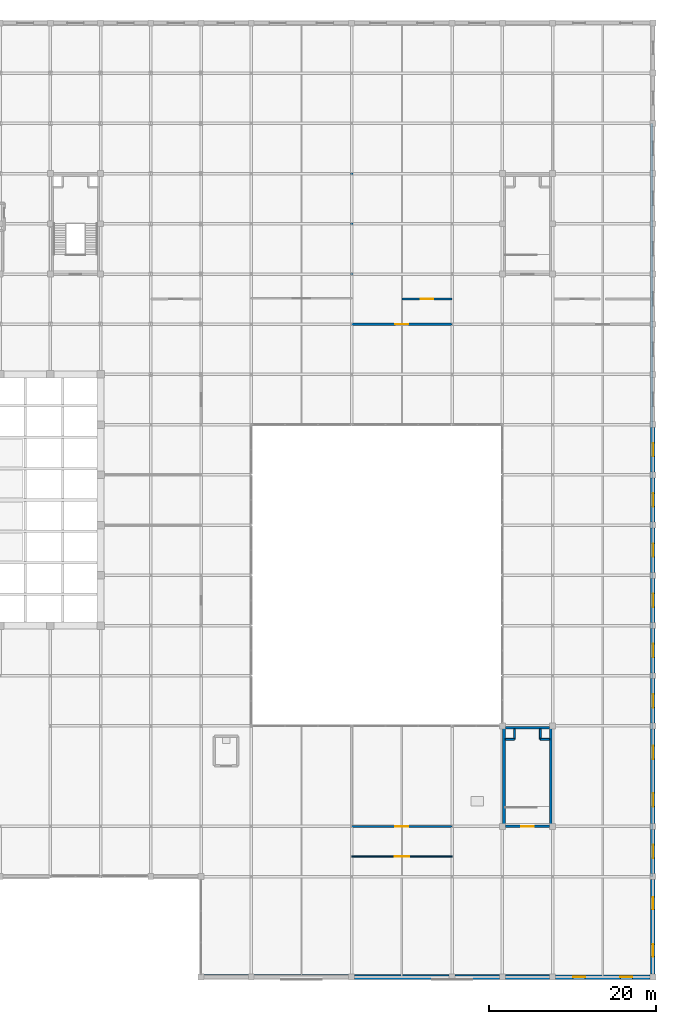
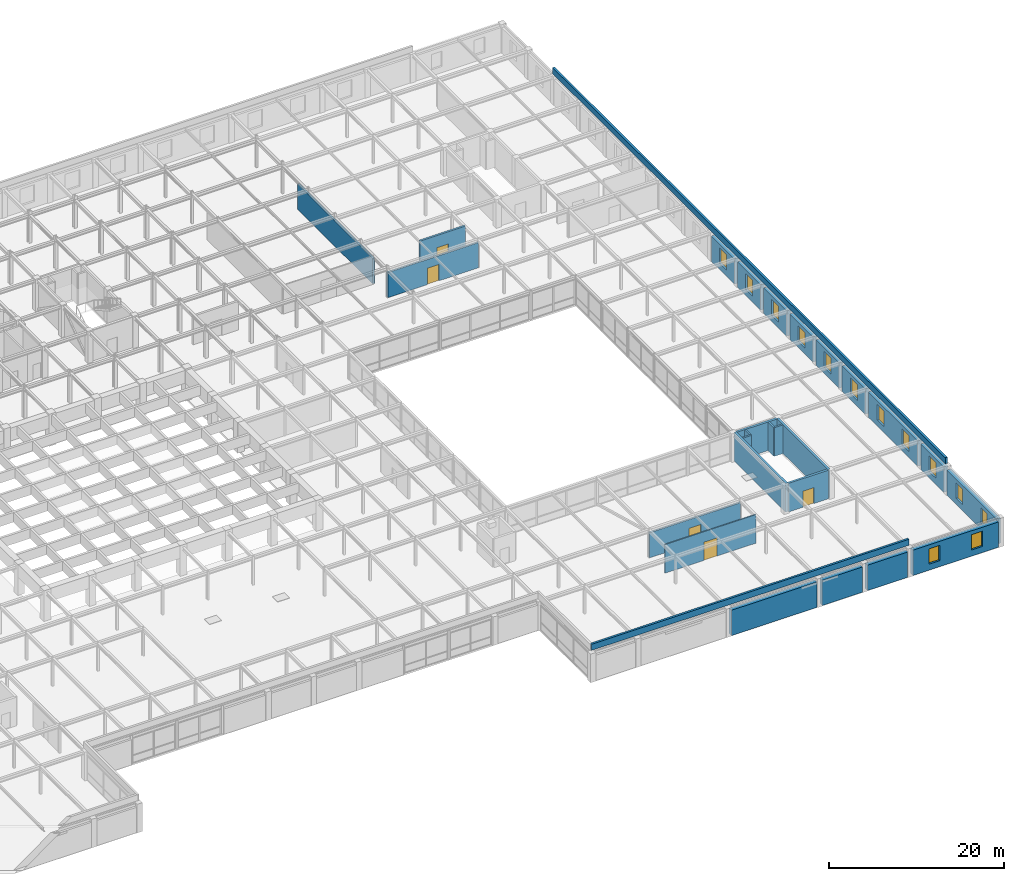
# One storey, part 108 of 111: 28 walls, 13 windows, 5 doors, 18 openings.
"""IFC4 building model written with IfcOpenShell, lengths in metres."""

import ifcopenshell
import ifcopenshell.guid

model = None  # the IFC model being written
_history = None  # IfcOwnerHistory: only IFC2X3 demands one
_inside = {}  # id of a spatial element -> (the spatial element, [elements in it])
_under = {}  # id of a project, library or spatial element -> (it, [spatial elements below it])
_declared = {}  # id of a project -> (the project, [libraries it declares])
_typed = {}  # id of a type object -> (the type object, [elements of that type])
_made_of = {}  # id of a material, layer set ... -> (it, [elements and type objects made of it])


def new_model(schema):
    """Start an empty IFC model of exactly this schema.

    Asked for "IFC4X3", IfcOpenShell would pick the latest addendum, in which some entities
    have other attributes; the version numbers below select the first issue.
    IFC2X3 requires an IfcOwnerHistory on every rooted entity: one is made here for all.
    """
    global model, _history
    if schema == "IFC4X3":
        model = ifcopenshell.file(schema_version=(4, 3, 0, 0))
    else:
        model = ifcopenshell.file(schema=schema)
    _inside.clear()
    _under.clear()
    _declared.clear()
    _typed.clear()
    _made_of.clear()
    _history = None
    if model.schema == "IFC2X3":
        org = make("IfcOrganization", Name="unknown")
        user = make(
            "IfcPersonAndOrganization",
            ThePerson=make("IfcPerson", FamilyName="unknown"),
            TheOrganization=org,
        )
        app = make(
            "IfcApplication",
            ApplicationDeveloper=org,
            Version="unknown",
            ApplicationFullName="unknown",
            ApplicationIdentifier="unknown",
        )
        _history = make(
            "IfcOwnerHistory",
            OwningUser=user,
            OwningApplication=app,
            ChangeAction="ADDED",
            CreationDate=0,
        )
    return model


def make(cls, **values):
    """One entity of the class cls with the attributes given. An attribute that is None is left unset."""
    return model.create_entity(
        cls, **{name: value for name, value in values.items() if value is not None}
    )


def rooted(cls, **values):
    """An entity with a GlobalId (a new one), such as an element, a storey or a relation."""
    return make(cls, GlobalId=ifcopenshell.guid.new(), OwnerHistory=_history, **values)


def si_unit(unit_type, name, prefix=None):
    """IfcSIUnit, for example si_unit("LENGTHUNIT", "METRE", prefix="MILLI")."""
    return make("IfcSIUnit", UnitType=unit_type, Prefix=prefix, Name=name)


def assignment(units):
    """IfcUnitAssignment: the units of a project."""
    return None if units is None else make("IfcUnitAssignment", Units=units)


def point(xyz):
    """IfcCartesianPoint."""
    return None if xyz is None else make("IfcCartesianPoint", Coordinates=xyz)


def direction(xyz):
    """IfcDirection."""
    return None if xyz is None else make("IfcDirection", DirectionRatios=xyz)


def frame(location, z_axis=None, x_axis=None):
    """IfcAxis2Placement3D, a coordinate frame: its origin and axes. An axis left out is left unset."""
    return make(
        "IfcAxis2Placement3D",
        Location=point(location),
        Axis=direction(z_axis),
        RefDirection=direction(x_axis),
    )


def frame_2d(location, x_axis=None):
    """IfcAxis2Placement2D, a coordinate frame in the plane: its origin and x axis."""
    return make(
        "IfcAxis2Placement2D", Location=point(location), RefDirection=direction(x_axis)
    )


def origin():
    """The frame at (0, 0, 0) with its axes left unset."""
    return frame((0.0, 0.0, 0.0))


def place(relative_to, where):
    """IfcLocalPlacement: puts the frame where relative to a parent placement (None: the world)."""
    return make(
        "IfcLocalPlacement", PlacementRelTo=relative_to, RelativePlacement=where
    )


def context(
    kind, dimensions, precision=None, world=None, true_north=None, identifier=None
):
    """IfcGeometricRepresentationContext, for example the 3D "Model" context."""
    return make(
        "IfcGeometricRepresentationContext",
        ContextIdentifier=identifier,
        ContextType=kind,
        CoordinateSpaceDimension=dimensions,
        Precision=precision,
        WorldCoordinateSystem=world,
        TrueNorth=true_north,
    )


def subcontext(parent, identifier, kind, view, scale=None):
    """IfcGeometricRepresentationSubContext, for example "Body" below "Model"."""
    return make(
        "IfcGeometricRepresentationSubContext",
        ContextIdentifier=identifier,
        ContextType=kind,
        ParentContext=parent,
        TargetScale=scale,
        TargetView=view,
    )


def project(units=None, contexts=None):
    """IfcProject with its units and contexts."""
    return rooted(
        "IfcProject",
        Name="project",
        RepresentationContexts=contexts,
        UnitsInContext=assignment(units),
    )


def spatial(cls, under=None, at=None, **own):
    """A site, building, storey or space (cls), placed at a placement, below another one or the project."""
    s = rooted(cls, ObjectPlacement=at, **own)
    if under is not None:
        _under.setdefault(under.id(), (under, []))[1].append(s)
    return s


def profile(cls, at=None, kind="AREA", **sizes):
    """A parametric profile (cls). Its sizes go by their IFC names, for example OverallWidth=200.0."""
    return make(cls, ProfileType=kind, Position=at, **sizes)


def rectangle(**sizes):
    """IfcRectangleProfileDef."""
    return profile("IfcRectangleProfileDef", **sizes)


def extrude(swept, where, along, depth):
    """IfcExtrudedAreaSolid: the profile swept, set in the frame where, extruded along a direction by depth."""
    return make(
        "IfcExtrudedAreaSolid",
        SweptArea=swept,
        Position=where,
        ExtrudedDirection=direction(along),
        Depth=depth,
    )


def shape(context_of_items, identifier, shape_type, items):
    """IfcShapeRepresentation: the items that make up one representation, for example the "Body"."""
    return make(
        "IfcShapeRepresentation",
        ContextOfItems=context_of_items,
        RepresentationIdentifier=identifier,
        RepresentationType=shape_type,
        Items=items,
    )


def material(Name=None, Category=None):
    """IfcMaterial."""
    return make("IfcMaterial", Name=Name, Category=Category)


def layer(
    of_material, thickness, ventilated=None, Name=None, Category=None, Priority=None
):
    """IfcMaterialLayer: one layer of a wall or slab, of a material (None: an air gap)."""
    return make(
        "IfcMaterialLayer",
        Material=of_material,
        LayerThickness=thickness,
        IsVentilated=ventilated,
        Name=Name,
        Category=Category,
        Priority=Priority,
    )


def layer_set(layers, Name=None):
    """IfcMaterialLayerSet."""
    return make("IfcMaterialLayerSet", MaterialLayers=layers, LayerSetName=Name)


def made_of(thing, what):
    """Note that an element or type object is made of a material, layer set ...; save() writes the relation."""
    if what is not None:
        _made_of.setdefault(what.id(), (what, []))[1].append(thing)
    return thing


def type_object(cls, material=None, **own):
    """A type object (cls), such as IfcWallType, which elements share."""
    return made_of(rooted(cls, **own), material)


def element(
    cls,
    number,
    at=None,
    inside=None,
    cuts=None,
    type_object=None,
    material=None,
    context=None,
    identifier="Body",
    shape_type=None,
    held_by="IfcProductDefinitionShape",
    body=None,
    shapes=None,
    **own,
):
    """One element of the class cls, such as IfcWall. Its Tag is "e" and its number.

    at: its placement. inside: the storey or other place that contains it. cuts: it is an
    opening in that element (IfcRelVoidsElement). A single representation is given by context,
    identifier, shape_type and body (its items); several are given by shapes. held_by: the class
    of the entity that holds the representations. save() writes the other relations.
    """
    e = rooted(cls, Tag="e%d" % number, ObjectPlacement=at, **own)
    if body is not None:
        shapes = [shape(context, identifier, shape_type, body)]
    if shapes is not None:
        e.Representation = make(held_by, Representations=shapes)
    if inside is not None:
        _inside.setdefault(inside.id(), (inside, []))[1].append(e)
    if cuts is not None:
        rooted(
            "IfcRelVoidsElement", RelatingBuildingElement=cuts, RelatedOpeningElement=e
        )
    if type_object is not None:
        _typed.setdefault(type_object.id(), (type_object, []))[1].append(e)
    return made_of(e, material)


def fill(opening, filler):
    """IfcRelFillsElement: the door or window that sits in an opening."""
    return rooted(
        "IfcRelFillsElement",
        RelatingOpeningElement=opening,
        RelatedBuildingElement=filler,
    )


def aggregate(whole, parts):
    """IfcRelAggregates: a whole, such as a stair, and the parts it consists of."""
    return rooted("IfcRelAggregates", RelatingObject=whole, RelatedObjects=parts)


def save(model, path):
    """Write the relations noted so far, then the file.

    IfcRelAggregates (storeys below a building ...), IfcRelContainedInSpatialStructure (elements
    in a storey), IfcRelDefinesByType, IfcRelAssociatesMaterial and IfcRelDeclares: one each for
    every whole, place, type object, material and project.
    """
    for whole, parts in _under.values():
        aggregate(whole, parts)
    for where, things in _inside.values():
        rooted(
            "IfcRelContainedInSpatialStructure",
            RelatedElements=things,
            RelatingStructure=where,
        )
    for kind, things in _typed.values():
        rooted("IfcRelDefinesByType", RelatedObjects=things, RelatingType=kind)
    for what, things in _made_of.values():
        rooted("IfcRelAssociatesMaterial", RelatedObjects=things, RelatingMaterial=what)
    for by, libraries in _declared.values():
        rooted("IfcRelDeclares", RelatingContext=by, RelatedDefinitions=libraries)
    model.write(path)


model = new_model("IFC4")

# Units and contexts
model_context = context("Model", 3, precision=1e-05, world=origin(), true_north=direction((0.0, 1.0)))
body_context = subcontext(model_context, "Body", "Model", "MODEL_VIEW")
ifc_project = project(units=[si_unit("LENGTHUNIT", "METRE"), si_unit("AREAUNIT", "SQUARE_METRE"), si_unit("VOLUMEUNIT", "CUBIC_METRE"), si_unit("PLANEANGLEUNIT", "RADIAN"), si_unit("MASSUNIT", "GRAM", prefix="KILO")], contexts=[model_context])

# Site, building, storey
site_placement = place(None, origin())
site = spatial("IfcSite", under=ifc_project, at=site_placement, CompositionType="ELEMENT")
building_placement = place(site_placement, origin())
building = spatial("IfcBuilding", under=site, at=building_placement, Name="Zlatovratsky Civic Hall", CompositionType="ELEMENT")
storey_placement = place(building_placement, frame((0.0, 0.0, 16.5)))
storey = spatial("IfcBuildingStorey", under=building, at=storey_placement, Name="L04", CompositionType="ELEMENT", Elevation=16.5)

# Wall, opening, door
ifc_material_1 = material(Name="Acoustic ceramic blockwork", Category="masonry")
ifc_layer_1 = layer(ifc_material_1, 0.260009765625)
ifc_layer_set_1 = layer_set([ifc_layer_1], Name="Acoustic ceramic blockwork")
wall_type_1 = type_object("IfcWallType", Name="Wall_ArchiveCompartment_260", PredefinedType="PARTITIONING", material=ifc_layer_set_1)
wall_1_placement = place(storey_placement, frame((132.0, 18.0, 0.0), z_axis=(0.0, 0.0, 1.0), x_axis=(1.0, 0.0, 0.0)))
wall_1 = element("IfcWall", 1, at=wall_1_placement, inside=storey, type_object=wall_type_1, Name="WL-6227", PredefinedType="PARTITIONING", context=body_context, shape_type="SweptSolid", body=[
    extrude(rectangle(XDim=12.0, YDim=0.260009765625, at=frame_2d((6.0, 0.0))), origin(), (0.0, 0.0, 1.0), 3.512939453125),
])
opening_1_placement = place(wall_1_placement, frame((5.22509765625, 0.0, 0.0)))
opening_1 = element("IfcOpeningElement", 2, at=opening_1_placement, cuts=wall_1, Name="Opening D-15", PredefinedType="OPENING", context=body_context, shape_type="SweptSolid", body=[
    extrude(rectangle(XDim=1.550048828125, YDim=2.300048828125, at=frame_2d((0.77490234375, 1.14990234375))), frame((0.0, 0.14501953125, 0.0), z_axis=(0.0, -1.0, 0.0), x_axis=(1.0, 0.0, 0.0)), (0.0, 0.0, 1.0), 0.289794921875),
])
ifc_material_2 = material(Name="Insulated painted fire-rated steel leaf", Category="steel")
door_type_1 = type_object("IfcDoorType", Name="Door_CompactArchiveFire_1550x2300", OperationType="DOUBLE_DOOR_SINGLE_SWING", PredefinedType="DOOR", material=ifc_material_2)
door_1_placement = place(opening_1_placement, origin())
door_1 = element("IfcDoor", 3, at=door_1_placement, inside=storey, type_object=door_type_1, Name="DR-5328", OperationType="DOUBLE_DOOR_SINGLE_SWING", OverallHeight=2.300048828125, OverallWidth=1.550048828125, PredefinedType="DOOR", context=body_context, shape_type="SweptSolid", body=[
    extrude(rectangle(XDim=1.550048828125, YDim=2.300048828125, at=frame_2d((0.77490234375, 1.14990234375))), frame((0.0, 0.02490234375, 0.0), z_axis=(0.0, -1.0, 0.0), x_axis=(1.0, 0.0, 0.0)), (0.0, 0.0, 1.0), 0.050048828125),
])
fill(opening_1, door_1)

wall_2_placement = place(storey_placement, frame((132.0, 78.0, 0.0), z_axis=(0.0, 0.0, 1.0), x_axis=(1.0, 0.0, 0.0)))
wall_2 = element("IfcWall", 4, at=wall_2_placement, inside=storey, type_object=wall_type_1, Name="WL-6229", PredefinedType="PARTITIONING", context=body_context, shape_type="SweptSolid", body=[
    extrude(rectangle(XDim=12.0, YDim=0.260009765625, at=frame_2d((6.0, 0.0))), origin(), (0.0, 0.0, 1.0), 3.512939453125),
])
opening_2_placement = place(wall_2_placement, frame((5.22509765625, 0.0, 0.0)))
opening_2 = element("IfcOpeningElement", 5, at=opening_2_placement, cuts=wall_2, Name="Opening D-15", PredefinedType="OPENING", context=body_context, shape_type="SweptSolid", body=[
    extrude(rectangle(XDim=1.550048828125, YDim=2.300048828125, at=frame_2d((0.77490234375, 1.14990234375))), frame((0.0, 0.14501953125, 0.0), z_axis=(0.0, -1.0, 0.0), x_axis=(1.0, 0.0, 0.0)), (0.0, 0.0, 1.0), 0.289794921875),
])
door_2_placement = place(opening_2_placement, origin())
door_2 = element("IfcDoor", 6, at=door_2_placement, inside=storey, type_object=door_type_1, Name="DR-5330", OperationType="DOUBLE_DOOR_SINGLE_SWING", OverallHeight=2.300048828125, OverallWidth=1.550048828125, PredefinedType="DOOR", context=body_context, shape_type="SweptSolid", body=[
    extrude(rectangle(XDim=1.550048828125, YDim=2.300048828125, at=frame_2d((0.77490234375, 1.14990234375))), frame((0.0, 0.02490234375, 0.0), z_axis=(0.0, -1.0, 0.0), x_axis=(1.0, 0.0, 0.0)), (0.0, 0.0, 1.0), 0.050048828125),
])
fill(opening_2, door_2)

wall_3_placement = place(storey_placement, frame((138.0, 81.0, 0.0), z_axis=(0.0, 0.0, 1.0), x_axis=(1.0, 0.0, 0.0)))
wall_3 = element("IfcWall", 7, at=wall_3_placement, inside=storey, type_object=wall_type_1, Name="WL-6233", PredefinedType="PARTITIONING", context=body_context, shape_type="SweptSolid", body=[
    extrude(rectangle(XDim=6.0, YDim=0.260009765625, at=frame_2d((3.0, 0.0))), origin(), (0.0, 0.0, 1.0), 4.0),
])
opening_3_placement = place(wall_3_placement, frame((2.22509765625, 0.0, 0.0)))
opening_3 = element("IfcOpeningElement", 8, at=opening_3_placement, cuts=wall_3, Name="Opening D-15", PredefinedType="OPENING", context=body_context, shape_type="SweptSolid", body=[
    extrude(rectangle(XDim=1.550048828125, YDim=2.300048828125, at=frame_2d((0.77490234375, 1.14990234375))), frame((0.0, 0.14501953125, 0.0), z_axis=(0.0, -1.0, 0.0), x_axis=(1.0, 0.0, 0.0)), (0.0, 0.0, 1.0), 0.289794921875),
])
door_3_placement = place(opening_3_placement, origin())
door_3 = element("IfcDoor", 9, at=door_3_placement, inside=storey, type_object=door_type_1, Name="DR-5334", OperationType="DOUBLE_DOOR_SINGLE_SWING", OverallHeight=2.300048828125, OverallWidth=1.550048828125, PredefinedType="DOOR", context=body_context, shape_type="SweptSolid", body=[
    extrude(rectangle(XDim=1.550048828125, YDim=2.300048828125, at=frame_2d((0.77490234375, 1.14990234375))), frame((0.0, 0.02490234375, 0.0), z_axis=(0.0, -1.0, 0.0), x_axis=(1.0, 0.0, 0.0)), (0.0, 0.0, 1.0), 0.050048828125),
])
fill(opening_3, door_3)

# Wall
wall_4_placement = place(storey_placement, frame((132.0, 81.14990234375, 0.0), z_axis=(0.0, 0.0, 1.0), x_axis=(0.0, 1.0, 0.0)))
element("IfcWall", 10, at=wall_4_placement, inside=storey, type_object=wall_type_1, Name="WL-6243", PredefinedType="PARTITIONING", context=body_context, shape_type="SweptSolid", body=[
    extrude(rectangle(XDim=17.2001953125, YDim=0.260009765625, at=frame_2d((8.60009765625, 0.0))), origin(), (0.0, 0.0, 1.0), 3.56005859375),
])

# Wall, opening, door
ifc_material_3 = material(Name="Fire-rated gypsum board framing", Category="gypsum")
ifc_layer_2 = layer(ifc_material_3, 0.139892578125)
ifc_layer_set_2 = layer_set([ifc_layer_2], Name="Fire-rated gypsum board framing")
wall_type_2 = type_object("IfcWallType", Name="Wall_OfficePartition_140", PredefinedType="PARTITIONING", material=ifc_layer_set_2)
wall_5_placement = place(storey_placement, frame((132.0, 14.39990234375, 0.0), z_axis=(0.0, 0.0, 1.0), x_axis=(1.0, 0.0, 0.0)))
wall_5 = element("IfcWall", 11, at=wall_5_placement, inside=storey, type_object=wall_type_2, Name="WL-6220", PredefinedType="PARTITIONING", context=body_context, shape_type="SweptSolid", body=[
    extrude(rectangle(XDim=12.0, YDim=0.139892578125, at=frame_2d((6.0, 0.0))), origin(), (0.0, 0.0, 1.0), 4.0),
])
opening_4_placement = place(wall_5_placement, frame((5.125, 0.0, 0.0)))
opening_4 = element("IfcOpeningElement", 12, at=opening_4_placement, cuts=wall_5, Name="Opening D-13", PredefinedType="OPENING", context=body_context, shape_type="SweptSolid", body=[
    extrude(rectangle(XDim=1.75, YDim=2.550048828125, at=frame_2d((0.875, 1.27490234375))), frame((0.0, 0.0849609375, 0.0), z_axis=(0.0, -1.0, 0.0), x_axis=(1.0, 0.0, 0.0)), (0.0, 0.0, 1.0), 0.169677734375),
])
ifc_material_4 = material(Name="Solid oak joinery in steel frame", Category="steel")
door_type_2 = type_object("IfcDoorType", Name="Door_CommitteeSuiteDouble_1750x2550", OperationType="DOUBLE_DOOR_SINGLE_SWING", PredefinedType="DOOR", material=ifc_material_4)
door_4_placement = place(opening_4_placement, origin())
door_4 = element("IfcDoor", 13, at=door_4_placement, inside=storey, type_object=door_type_2, Name="DR-5321", OperationType="DOUBLE_DOOR_SINGLE_SWING", OverallHeight=2.550048828125, OverallWidth=1.75, PredefinedType="DOOR", context=body_context, shape_type="SweptSolid", body=[
    extrude(rectangle(XDim=1.75, YDim=2.550048828125, at=frame_2d((0.875, 1.27490234375))), frame((0.0, 0.02490234375, 0.0), z_axis=(0.0, -1.0, 0.0), x_axis=(1.0, 0.0, 0.0)), (0.0, 0.0, 1.0), 0.050048828125),
])
fill(opening_4, door_4)

# Walls
ifc_layer_3 = layer(ifc_material_1, 0.39990234375, Name="Backing")
ifc_material_5 = material(Name="Polished Karelian granite ashlar", Category="masonry")
ifc_layer_4 = layer(ifc_material_5, 0.139892578125, Name="Finish")
ifc_layer_set_3 = layer_set([ifc_layer_3, ifc_layer_4], Name="Acoustic ceramic blockwork")
wall_type_3 = type_object("IfcWallType", Name="Wall_PodiumGraniteArcade_540", PredefinedType="SOLIDWALL", material=ifc_layer_set_3)
wall_6_placement = place(storey_placement, frame((132.35009765625, 0.0, 0.0), z_axis=(0.0, 0.0, 1.0), x_axis=(1.0, 0.0, 0.0)))
element("IfcWall", 14, at=wall_6_placement, inside=storey, type_object=wall_type_3, Name="WL-0323", PredefinedType="SOLIDWALL", context=body_context, shape_type="SweptSolid", body=[
    extrude(rectangle(XDim=11.2998046875, YDim=0.5400390625, at=frame_2d((5.64990234375, 0.0))), origin(), (0.0, 0.0, 1.0), 3.550048828125),
])
for number, where, z_axis, x_axis, name in (
    (15, (144.35009765625, 0.0, 0.0), (0.0, 0.0, 1.0), (1.0, 0.0, 0.0), "WL-0324"),
    (16, (150.35009765625, 0.0, 0.0), (0.0, 0.0, 1.0), (1.0, 0.0, 0.0), "WL-0325"),
):
    element("IfcWall", number, at=place(storey_placement, frame(where, z_axis=z_axis, x_axis=x_axis)), inside=storey, type_object=wall_type_3, Name=name, PredefinedType="SOLIDWALL", context=body_context, shape_type="SweptSolid", body=[
        extrude(rectangle(XDim=5.2998046875, YDim=0.5400390625, at=frame_2d((2.64990234375, 0.0))), origin(), (0.0, 0.0, 1.0), 3.550048828125),
    ])

# Wall, openings, windows
wall_7_placement = place(storey_placement, frame((156.35009765625, 0.0, 0.0), z_axis=(0.0, 0.0, 1.0), x_axis=(1.0, 0.0, 0.0)))
wall_7 = element("IfcWall", 17, at=wall_7_placement, inside=storey, type_object=wall_type_3, Name="WL-0326", PredefinedType="SOLIDWALL", context=body_context, shape_type="SweptSolid", body=[
    extrude(rectangle(XDim=11.2998046875, YDim=0.5400390625, at=frame_2d((5.64990234375, 0.0))), origin(), (0.0, 0.0, 1.0), 3.550048828125),
])
opening_5_placement = place(wall_7_placement, frame((2.10009765625, 0.0, 0.85009765625)))
opening_5 = element("IfcOpeningElement", 18, at=opening_5_placement, cuts=wall_7, Name="Opening WN-28", PredefinedType="OPENING", context=body_context, shape_type="SweptSolid", body=[
    extrude(rectangle(XDim=1.449951171875, YDim=2.14990234375, at=frame_2d((0.72509765625, 1.074951171875))), frame((0.0, 0.284912109375, 0.0), z_axis=(0.0, -1.0, 0.0), x_axis=(1.0, 0.0, 0.0)), (0.0, 0.0, 1.0), 0.56982421875),
])
opening_6_placement = place(wall_7_placement, frame((7.75, 0.0, 0.85009765625)))
opening_6 = element("IfcOpeningElement", 19, at=opening_6_placement, cuts=wall_7, Name="Opening WN-28", PredefinedType="OPENING", context=body_context, shape_type="SweptSolid", body=[
    extrude(rectangle(XDim=1.449951171875, YDim=2.14990234375, at=frame_2d((0.72509765625, 1.074951171875))), frame((0.0, 0.284912109375, 0.0), z_axis=(0.0, -1.0, 0.0), x_axis=(1.0, 0.0, 0.0)), (0.0, 0.0, 1.0), 0.56982421875),
])
ifc_material_6 = material(Name="Low-E laminated double glazing", Category="glass")
window_type_1 = type_object("IfcWindowType", Name="Window_CornerBastionUpper_1450x2150", PartitioningType="SINGLE_PANEL", PredefinedType="WINDOW", material=ifc_material_6)
window_1_placement = place(opening_5_placement, origin())
window_1 = element("IfcWindow", 20, at=window_1_placement, inside=storey, type_object=window_type_1, Name="WN-0255", OverallHeight=2.14990234375, OverallWidth=1.449951171875, PartitioningType="SINGLE_PANEL", PredefinedType="WINDOW", context=body_context, shape_type="SweptSolid", body=[
    extrude(rectangle(XDim=1.449951171875, YDim=2.14990234375, at=frame_2d((0.72509765625, 1.074951171875))), frame((0.0, 0.030029296875, 0.0), z_axis=(0.0, -1.0, 0.0), x_axis=(1.0, 0.0, 0.0)), (0.0, 0.0, 1.0), 0.06005859375),
])
fill(opening_5, window_1)
window_2_placement = place(opening_6_placement, origin())
window_2 = element("IfcWindow", 21, at=window_2_placement, inside=storey, type_object=window_type_1, Name="WN-0256", OverallHeight=2.14990234375, OverallWidth=1.449951171875, PartitioningType="SINGLE_PANEL", PredefinedType="WINDOW", context=body_context, shape_type="SweptSolid", body=[
    extrude(rectangle(XDim=1.449951171875, YDim=2.14990234375, at=frame_2d((0.72509765625, 1.074951171875))), frame((0.0, 0.030029296875, 0.0), z_axis=(0.0, -1.0, 0.0), x_axis=(1.0, 0.0, 0.0)), (0.0, 0.0, 1.0), 0.06005859375),
])
fill(opening_6, window_2)

wall_8_placement = place(storey_placement, frame((168.0, 0.35009765625, 0.0), z_axis=(0.0, 0.0, 1.0), x_axis=(0.0, 1.0, 0.0)))
wall_8 = element("IfcWall", 22, at=wall_8_placement, inside=storey, type_object=wall_type_3, Name="WL-0372", PredefinedType="SOLIDWALL", context=body_context, shape_type="SweptSolid", body=[
    extrude(rectangle(XDim=11.2998046875, YDim=0.5400390625, at=frame_2d((5.64990234375, 0.0))), origin(), (0.0, 0.0, 1.0), 3.550048828125),
])
opening_7_placement = place(wall_8_placement, frame((2.10009765625, 0.0, 0.85009765625)))
opening_7 = element("IfcOpeningElement", 23, at=opening_7_placement, cuts=wall_8, Name="Opening WN-28", PredefinedType="OPENING", context=body_context, shape_type="SweptSolid", body=[
    extrude(rectangle(XDim=1.449951171875, YDim=2.14990234375, at=frame_2d((0.72509765625, 1.074951171875))), frame((0.0, 0.284912109375, 0.0), z_axis=(0.0, -1.0, 0.0), x_axis=(1.0, 0.0, 0.0)), (0.0, 0.0, 1.0), 0.56982421875),
])
opening_8_placement = place(wall_8_placement, frame((7.75, 0.0, 0.85009765625)))
opening_8 = element("IfcOpeningElement", 24, at=opening_8_placement, cuts=wall_8, Name="Opening WN-28", PredefinedType="OPENING", context=body_context, shape_type="SweptSolid", body=[
    extrude(rectangle(XDim=1.449951171875, YDim=2.14990234375, at=frame_2d((0.72509765625, 1.074951171875))), frame((0.0, 0.284912109375, 0.0), z_axis=(0.0, -1.0, 0.0), x_axis=(1.0, 0.0, 0.0)), (0.0, 0.0, 1.0), 0.56982421875),
])
window_3_placement = place(opening_7_placement, origin())
window_3 = element("IfcWindow", 25, at=window_3_placement, inside=storey, type_object=window_type_1, Name="WN-0302", OverallHeight=2.14990234375, OverallWidth=1.449951171875, PartitioningType="SINGLE_PANEL", PredefinedType="WINDOW", context=body_context, shape_type="SweptSolid", body=[
    extrude(rectangle(XDim=1.449951171875, YDim=2.14990234375, at=frame_2d((0.72509765625, 1.074951171875))), frame((0.0, 0.030029296875, 0.0), z_axis=(0.0, -1.0, 0.0), x_axis=(1.0, 0.0, 0.0)), (0.0, 0.0, 1.0), 0.06005859375),
])
fill(opening_7, window_3)
window_4_placement = place(opening_8_placement, origin())
window_4 = element("IfcWindow", 26, at=window_4_placement, inside=storey, type_object=window_type_1, Name="WN-0303", OverallHeight=2.14990234375, OverallWidth=1.449951171875, PartitioningType="SINGLE_PANEL", PredefinedType="WINDOW", context=body_context, shape_type="SweptSolid", body=[
    extrude(rectangle(XDim=1.449951171875, YDim=2.14990234375, at=frame_2d((0.72509765625, 1.074951171875))), frame((0.0, 0.030029296875, 0.0), z_axis=(0.0, -1.0, 0.0), x_axis=(1.0, 0.0, 0.0)), (0.0, 0.0, 1.0), 0.06005859375),
])
fill(opening_8, window_4)

# Wall, opening, window
wall_9_placement = place(storey_placement, frame((168.0, 12.35009765625, 0.0), z_axis=(0.0, 0.0, 1.0), x_axis=(0.0, 1.0, 0.0)))
wall_9 = element("IfcWall", 27, at=wall_9_placement, inside=storey, type_object=wall_type_3, Name="WL-0373", PredefinedType="SOLIDWALL", context=body_context, shape_type="SweptSolid", body=[
    extrude(rectangle(XDim=5.2998046875, YDim=0.5400390625, at=frame_2d((2.64990234375, 0.0))), origin(), (0.0, 0.0, 1.0), 3.550048828125),
])
opening_9_placement = place(wall_9_placement, frame((1.85009765625, 0.0, 0.85009765625)))
opening_9 = element("IfcOpeningElement", 28, at=opening_9_placement, cuts=wall_9, Name="Opening WN-12", PredefinedType="OPENING", context=body_context, shape_type="SweptSolid", body=[
    extrude(rectangle(XDim=1.60009765625, YDim=2.199951171875, at=frame_2d((0.800048828125, 1.10009765625))), frame((0.0, 0.284912109375, 0.0), z_axis=(0.0, -1.0, 0.0), x_axis=(1.0, 0.0, 0.0)), (0.0, 0.0, 1.0), 0.56982421875),
])
window_type_2 = type_object("IfcWindowType", Name="Window_CourtWingL04_1600x2200", PartitioningType="SINGLE_PANEL", PredefinedType="WINDOW", material=ifc_material_6)
window_5_placement = place(opening_9_placement, origin())
window_5 = element("IfcWindow", 29, at=window_5_placement, inside=storey, type_object=window_type_2, Name="WN-0304", OverallHeight=2.199951171875, OverallWidth=1.60009765625, PartitioningType="SINGLE_PANEL", PredefinedType="WINDOW", context=body_context, shape_type="SweptSolid", body=[
    extrude(rectangle(XDim=1.60009765625, YDim=2.199951171875, at=frame_2d((0.800048828125, 1.10009765625))), frame((0.0, 0.030029296875, 0.0), z_axis=(0.0, -1.0, 0.0), x_axis=(1.0, 0.0, 0.0)), (0.0, 0.0, 1.0), 0.06005859375),
])
fill(opening_9, window_5)

# Wall, openings, windows
wall_10_placement = place(storey_placement, frame((168.0, 18.35009765625, 0.0), z_axis=(0.0, 0.0, 1.0), x_axis=(0.0, 1.0, 0.0)))
wall_10 = element("IfcWall", 30, at=wall_10_placement, inside=storey, type_object=wall_type_3, Name="WL-0374", PredefinedType="SOLIDWALL", context=body_context, shape_type="SweptSolid", body=[
    extrude(rectangle(XDim=11.2998046875, YDim=0.5400390625, at=frame_2d((5.64990234375, 0.0))), origin(), (0.0, 0.0, 1.0), 3.550048828125),
])
opening_10_placement = place(wall_10_placement, frame((2.02490234375, 0.0, 0.85009765625)))
opening_10 = element("IfcOpeningElement", 31, at=opening_10_placement, cuts=wall_10, Name="Opening WN-12", PredefinedType="OPENING", context=body_context, shape_type="SweptSolid", body=[
    extrude(rectangle(XDim=1.60009765625, YDim=2.199951171875, at=frame_2d((0.800048828125, 1.10009765625))), frame((0.0, 0.284912109375, 0.0), z_axis=(0.0, -1.0, 0.0), x_axis=(1.0, 0.0, 0.0)), (0.0, 0.0, 1.0), 0.56982421875),
])
opening_11_placement = place(wall_10_placement, frame((7.675048828125, 0.0, 0.85009765625)))
opening_11 = element("IfcOpeningElement", 32, at=opening_11_placement, cuts=wall_10, Name="Opening WN-12", PredefinedType="OPENING", context=body_context, shape_type="SweptSolid", body=[
    extrude(rectangle(XDim=1.60009765625, YDim=2.199951171875, at=frame_2d((0.800048828125, 1.10009765625))), frame((0.0, 0.284912109375, 0.0), z_axis=(0.0, -1.0, 0.0), x_axis=(1.0, 0.0, 0.0)), (0.0, 0.0, 1.0), 0.56982421875),
])
window_6_placement = place(opening_10_placement, origin())
window_6 = element("IfcWindow", 33, at=window_6_placement, inside=storey, type_object=window_type_2, Name="WN-0305", OverallHeight=2.199951171875, OverallWidth=1.60009765625, PartitioningType="SINGLE_PANEL", PredefinedType="WINDOW", context=body_context, shape_type="SweptSolid", body=[
    extrude(rectangle(XDim=1.60009765625, YDim=2.199951171875, at=frame_2d((0.800048828125, 1.10009765625))), frame((0.0, 0.030029296875, 0.0), z_axis=(0.0, -1.0, 0.0), x_axis=(1.0, 0.0, 0.0)), (0.0, 0.0, 1.0), 0.06005859375),
])
fill(opening_10, window_6)
window_7_placement = place(opening_11_placement, origin())
window_7 = element("IfcWindow", 34, at=window_7_placement, inside=storey, type_object=window_type_2, Name="WN-0306", OverallHeight=2.199951171875, OverallWidth=1.60009765625, PartitioningType="SINGLE_PANEL", PredefinedType="WINDOW", context=body_context, shape_type="SweptSolid", body=[
    extrude(rectangle(XDim=1.60009765625, YDim=2.199951171875, at=frame_2d((0.800048828125, 1.10009765625))), frame((0.0, 0.030029296875, 0.0), z_axis=(0.0, -1.0, 0.0), x_axis=(1.0, 0.0, 0.0)), (0.0, 0.0, 1.0), 0.06005859375),
])
fill(opening_11, window_7)

# Wall, opening, window
wall_11_placement = place(storey_placement, frame((168.0, 30.35009765625, 0.0), z_axis=(0.0, 0.0, 1.0), x_axis=(0.0, 1.0, 0.0)))
wall_11 = element("IfcWall", 35, at=wall_11_placement, inside=storey, type_object=wall_type_3, Name="WL-0375", PredefinedType="SOLIDWALL", context=body_context, shape_type="SweptSolid", body=[
    extrude(rectangle(XDim=5.2998046875, YDim=0.5400390625, at=frame_2d((2.64990234375, 0.0))), origin(), (0.0, 0.0, 1.0), 3.550048828125),
])
opening_12_placement = place(wall_11_placement, frame((1.85009765625, 0.0, 0.85009765625)))
opening_12 = element("IfcOpeningElement", 36, at=opening_12_placement, cuts=wall_11, Name="Opening WN-12", PredefinedType="OPENING", context=body_context, shape_type="SweptSolid", body=[
    extrude(rectangle(XDim=1.60009765625, YDim=2.199951171875, at=frame_2d((0.800048828125, 1.10009765625))), frame((0.0, 0.284912109375, 0.0), z_axis=(0.0, -1.0, 0.0), x_axis=(1.0, 0.0, 0.0)), (0.0, 0.0, 1.0), 0.56982421875),
])
window_8_placement = place(opening_12_placement, origin())
window_8 = element("IfcWindow", 37, at=window_8_placement, inside=storey, type_object=window_type_2, Name="WN-0307", OverallHeight=2.199951171875, OverallWidth=1.60009765625, PartitioningType="SINGLE_PANEL", PredefinedType="WINDOW", context=body_context, shape_type="SweptSolid", body=[
    extrude(rectangle(XDim=1.60009765625, YDim=2.199951171875, at=frame_2d((0.800048828125, 1.10009765625))), frame((0.0, 0.030029296875, 0.0), z_axis=(0.0, -1.0, 0.0), x_axis=(1.0, 0.0, 0.0)), (0.0, 0.0, 1.0), 0.06005859375),
])
fill(opening_12, window_8)

wall_12_placement = place(storey_placement, frame((168.0, 36.35009765625, 0.0), z_axis=(0.0, 0.0, 1.0), x_axis=(0.0, 1.0, 0.0)))
wall_12 = element("IfcWall", 38, at=wall_12_placement, inside=storey, type_object=wall_type_3, Name="WL-0376", PredefinedType="SOLIDWALL", context=body_context, shape_type="SweptSolid", body=[
    extrude(rectangle(XDim=5.2998046875, YDim=0.5400390625, at=frame_2d((2.64990234375, 0.0))), origin(), (0.0, 0.0, 1.0), 3.550048828125),
])
opening_13_placement = place(wall_12_placement, frame((1.85009765625, 0.0, 0.85009765625)))
opening_13 = element("IfcOpeningElement", 39, at=opening_13_placement, cuts=wall_12, Name="Opening WN-12", PredefinedType="OPENING", context=body_context, shape_type="SweptSolid", body=[
    extrude(rectangle(XDim=1.60009765625, YDim=2.199951171875, at=frame_2d((0.800048828125, 1.10009765625))), frame((0.0, 0.284912109375, 0.0), z_axis=(0.0, -1.0, 0.0), x_axis=(1.0, 0.0, 0.0)), (0.0, 0.0, 1.0), 0.56982421875),
])
window_9_placement = place(opening_13_placement, origin())
window_9 = element("IfcWindow", 40, at=window_9_placement, inside=storey, type_object=window_type_2, Name="WN-0308", OverallHeight=2.199951171875, OverallWidth=1.60009765625, PartitioningType="SINGLE_PANEL", PredefinedType="WINDOW", context=body_context, shape_type="SweptSolid", body=[
    extrude(rectangle(XDim=1.60009765625, YDim=2.199951171875, at=frame_2d((0.800048828125, 1.10009765625))), frame((0.0, 0.030029296875, 0.0), z_axis=(0.0, -1.0, 0.0), x_axis=(1.0, 0.0, 0.0)), (0.0, 0.0, 1.0), 0.06005859375),
])
fill(opening_13, window_9)

wall_13_placement = place(storey_placement, frame((168.0, 42.35009765625, 0.0), z_axis=(0.0, 0.0, 1.0), x_axis=(0.0, 1.0, 0.0)))
wall_13 = element("IfcWall", 41, at=wall_13_placement, inside=storey, type_object=wall_type_3, Name="WL-0377", PredefinedType="SOLIDWALL", context=body_context, shape_type="SweptSolid", body=[
    extrude(rectangle(XDim=5.2998046875, YDim=0.5400390625, at=frame_2d((2.64990234375, 0.0))), origin(), (0.0, 0.0, 1.0), 3.550048828125),
])
opening_14_placement = place(wall_13_placement, frame((1.85009765625, 0.0, 0.85009765625)))
opening_14 = element("IfcOpeningElement", 42, at=opening_14_placement, cuts=wall_13, Name="Opening WN-12", PredefinedType="OPENING", context=body_context, shape_type="SweptSolid", body=[
    extrude(rectangle(XDim=1.60009765625, YDim=2.199951171875, at=frame_2d((0.800048828125, 1.10009765625))), frame((0.0, 0.284912109375, 0.0), z_axis=(0.0, -1.0, 0.0), x_axis=(1.0, 0.0, 0.0)), (0.0, 0.0, 1.0), 0.56982421875),
])
window_10_placement = place(opening_14_placement, origin())
window_10 = element("IfcWindow", 43, at=window_10_placement, inside=storey, type_object=window_type_2, Name="WN-0309", OverallHeight=2.199951171875, OverallWidth=1.60009765625, PartitioningType="SINGLE_PANEL", PredefinedType="WINDOW", context=body_context, shape_type="SweptSolid", body=[
    extrude(rectangle(XDim=1.60009765625, YDim=2.199951171875, at=frame_2d((0.800048828125, 1.10009765625))), frame((0.0, 0.030029296875, 0.0), z_axis=(0.0, -1.0, 0.0), x_axis=(1.0, 0.0, 0.0)), (0.0, 0.0, 1.0), 0.06005859375),
])
fill(opening_14, window_10)

wall_14_placement = place(storey_placement, frame((168.0, 48.35009765625, 0.0), z_axis=(0.0, 0.0, 1.0), x_axis=(0.0, 1.0, 0.0)))
wall_14 = element("IfcWall", 44, at=wall_14_placement, inside=storey, type_object=wall_type_3, Name="WL-0378", PredefinedType="SOLIDWALL", context=body_context, shape_type="SweptSolid", body=[
    extrude(rectangle(XDim=5.2998046875, YDim=0.5400390625, at=frame_2d((2.64990234375, 0.0))), origin(), (0.0, 0.0, 1.0), 3.550048828125),
])
opening_15_placement = place(wall_14_placement, frame((1.85009765625, 0.0, 0.85009765625)))
opening_15 = element("IfcOpeningElement", 45, at=opening_15_placement, cuts=wall_14, Name="Opening WN-12", PredefinedType="OPENING", context=body_context, shape_type="SweptSolid", body=[
    extrude(rectangle(XDim=1.60009765625, YDim=2.199951171875, at=frame_2d((0.800048828125, 1.10009765625))), frame((0.0, 0.284912109375, 0.0), z_axis=(0.0, -1.0, 0.0), x_axis=(1.0, 0.0, 0.0)), (0.0, 0.0, 1.0), 0.56982421875),
])
window_11_placement = place(opening_15_placement, origin())
window_11 = element("IfcWindow", 46, at=window_11_placement, inside=storey, type_object=window_type_2, Name="WN-0310", OverallHeight=2.199951171875, OverallWidth=1.60009765625, PartitioningType="SINGLE_PANEL", PredefinedType="WINDOW", context=body_context, shape_type="SweptSolid", body=[
    extrude(rectangle(XDim=1.60009765625, YDim=2.199951171875, at=frame_2d((0.800048828125, 1.10009765625))), frame((0.0, 0.030029296875, 0.0), z_axis=(0.0, -1.0, 0.0), x_axis=(1.0, 0.0, 0.0)), (0.0, 0.0, 1.0), 0.06005859375),
])
fill(opening_15, window_11)

wall_15_placement = place(storey_placement, frame((168.0, 54.35009765625, 0.0), z_axis=(0.0, 0.0, 1.0), x_axis=(0.0, 1.0, 0.0)))
wall_15 = element("IfcWall", 47, at=wall_15_placement, inside=storey, type_object=wall_type_3, Name="WL-0379", PredefinedType="SOLIDWALL", context=body_context, shape_type="SweptSolid", body=[
    extrude(rectangle(XDim=5.2998046875, YDim=0.5400390625, at=frame_2d((2.64990234375, 0.0))), origin(), (0.0, 0.0, 1.0), 3.550048828125),
])
opening_16_placement = place(wall_15_placement, frame((1.85009765625, 0.0, 0.85009765625)))
opening_16 = element("IfcOpeningElement", 48, at=opening_16_placement, cuts=wall_15, Name="Opening WN-12", PredefinedType="OPENING", context=body_context, shape_type="SweptSolid", body=[
    extrude(rectangle(XDim=1.60009765625, YDim=2.199951171875, at=frame_2d((0.800048828125, 1.10009765625))), frame((0.0, 0.284912109375, 0.0), z_axis=(0.0, -1.0, 0.0), x_axis=(1.0, 0.0, 0.0)), (0.0, 0.0, 1.0), 0.56982421875),
])
window_12_placement = place(opening_16_placement, origin())
window_12 = element("IfcWindow", 49, at=window_12_placement, inside=storey, type_object=window_type_2, Name="WN-0311", OverallHeight=2.199951171875, OverallWidth=1.60009765625, PartitioningType="SINGLE_PANEL", PredefinedType="WINDOW", context=body_context, shape_type="SweptSolid", body=[
    extrude(rectangle(XDim=1.60009765625, YDim=2.199951171875, at=frame_2d((0.800048828125, 1.10009765625))), frame((0.0, 0.030029296875, 0.0), z_axis=(0.0, -1.0, 0.0), x_axis=(1.0, 0.0, 0.0)), (0.0, 0.0, 1.0), 0.06005859375),
])
fill(opening_16, window_12)

wall_16_placement = place(storey_placement, frame((168.0, 60.35009765625, 0.0), z_axis=(0.0, 0.0, 1.0), x_axis=(0.0, 1.0, 0.0)))
wall_16 = element("IfcWall", 50, at=wall_16_placement, inside=storey, type_object=wall_type_3, Name="WL-0380", PredefinedType="SOLIDWALL", context=body_context, shape_type="SweptSolid", body=[
    extrude(rectangle(XDim=5.2998046875, YDim=0.5400390625, at=frame_2d((2.64990234375, 0.0))), origin(), (0.0, 0.0, 1.0), 3.550048828125),
])
opening_17_placement = place(wall_16_placement, frame((1.85009765625, 0.0, 0.85009765625)))
opening_17 = element("IfcOpeningElement", 51, at=opening_17_placement, cuts=wall_16, Name="Opening WN-12", PredefinedType="OPENING", context=body_context, shape_type="SweptSolid", body=[
    extrude(rectangle(XDim=1.60009765625, YDim=2.199951171875, at=frame_2d((0.800048828125, 1.10009765625))), frame((0.0, 0.284912109375, 0.0), z_axis=(0.0, -1.0, 0.0), x_axis=(1.0, 0.0, 0.0)), (0.0, 0.0, 1.0), 0.56982421875),
])
window_13_placement = place(opening_17_placement, origin())
window_13 = element("IfcWindow", 52, at=window_13_placement, inside=storey, type_object=window_type_2, Name="WN-0312", OverallHeight=2.199951171875, OverallWidth=1.60009765625, PartitioningType="SINGLE_PANEL", PredefinedType="WINDOW", context=body_context, shape_type="SweptSolid", body=[
    extrude(rectangle(XDim=1.60009765625, YDim=2.199951171875, at=frame_2d((0.800048828125, 1.10009765625))), frame((0.0, 0.030029296875, 0.0), z_axis=(0.0, -1.0, 0.0), x_axis=(1.0, 0.0, 0.0)), (0.0, 0.0, 1.0), 0.06005859375),
])
fill(opening_17, window_13)

# Walls
ifc_material_7 = material(Name="Podolsk limestone ashlar", Category="masonry")
ifc_layer_5 = layer(ifc_material_7, 0.280029296875)
ifc_layer_set_4 = layer_set([ifc_layer_5], Name="Podolsk limestone ashlar")
wall_type_4 = type_object("IfcWallType", Name="Wall_RoofParapetStone_280", PredefinedType="PARAPET", material=ifc_layer_set_4)
wall_17_placement = place(storey_placement, frame((114.0, 0.139892578125, 4.199951171875), z_axis=(0.0, 0.0, 1.0), x_axis=(1.0, 0.0, 0.0)))
element("IfcWall", 53, at=wall_17_placement, inside=storey, type_object=wall_type_4, Name="WL-0707", PredefinedType="PARAPET", context=body_context, shape_type="SweptSolid", body=[
    extrude(rectangle(XDim=42.0, YDim=0.280029296875, at=frame_2d((21.0, 0.0))), origin(), (0.0, 0.0, 1.0), 0.85009765625),
])
wall_18_placement = place(storey_placement, frame((167.860107421875, 12.0, 4.199951171875), z_axis=(0.0, 0.0, 1.0), x_axis=(0.0, 1.0, 0.0)))
element("IfcWall", 54, at=wall_18_placement, inside=storey, type_object=wall_type_4, Name="WL-0709", PredefinedType="PARAPET", context=body_context, shape_type="SweptSolid", body=[
    extrude(rectangle(XDim=90.0, YDim=0.280029296875, at=frame_2d((45.0, 0.0))), origin(), (0.0, 0.0, 1.0), 0.85009765625),
])
ifc_layer_6 = layer(ifc_material_1, 0.219970703125)
ifc_layer_set_5 = layer_set([ifc_layer_6], Name="Acoustic ceramic blockwork")
wall_type_5 = type_object("IfcWallType", Name="Wall_SanitaryWetCore_220", PredefinedType="PARTITIONING", material=ifc_layer_set_5)
wall_19_placement = place(storey_placement, frame((151.449951171875, 28.39990234375, 0.0), z_axis=(0.0, 0.0, 1.0), x_axis=(0.0, 1.0, 0.0)))
element("IfcWall", 55, at=wall_19_placement, inside=storey, type_object=wall_type_5, Name="WL-5385", PredefinedType="PARTITIONING", context=body_context, shape_type="SweptSolid", body=[
    extrude(rectangle(XDim=1.25, YDim=0.219970703125, at=frame_2d((0.625, 0.0))), origin(), (0.0, 0.0, 1.0), 4.0),
])
wall_20_placement = place(storey_placement, frame((150.35009765625, 28.39990234375, 0.0), z_axis=(0.0, 0.0, 1.0), x_axis=(1.0, 0.0, 0.0)))
element("IfcWall", 56, at=wall_20_placement, inside=storey, type_object=wall_type_5, Name="WL-5386", PredefinedType="PARTITIONING", context=body_context, shape_type="SweptSolid", body=[
    extrude(rectangle(XDim=1.099853515625, YDim=0.219970703125, at=frame_2d((0.5498046875, 0.0))), origin(), (0.0, 0.0, 1.0), 4.0),
])
wall_21_placement = place(storey_placement, frame((154.550048828125, 28.39990234375, 0.0), z_axis=(0.0, 0.0, 1.0), x_axis=(0.0, 1.0, 0.0)))
element("IfcWall", 57, at=wall_21_placement, inside=storey, type_object=wall_type_5, Name="WL-5387", PredefinedType="PARTITIONING", context=body_context, shape_type="SweptSolid", body=[
    extrude(rectangle(XDim=1.25, YDim=0.219970703125, at=frame_2d((0.625, 0.0))), origin(), (0.0, 0.0, 1.0), 4.0),
])
wall_22_placement = place(storey_placement, frame((154.550048828125, 28.39990234375, 0.0), z_axis=(0.0, 0.0, 1.0), x_axis=(1.0, 0.0, 0.0)))
element("IfcWall", 58, at=wall_22_placement, inside=storey, type_object=wall_type_5, Name="WL-5388", PredefinedType="PARTITIONING", context=body_context, shape_type="SweptSolid", body=[
    extrude(rectangle(XDim=1.099853515625, YDim=0.219970703125, at=frame_2d((0.5498046875, 0.0))), origin(), (0.0, 0.0, 1.0), 4.0),
])

# Wall, opening, door
ifc_material_8 = material(Name="Concrete C35/45 (B40)", Category="concrete")
ifc_layer_7 = layer(ifc_material_8, 0.300048828125)
ifc_layer_set_6 = layer_set([ifc_layer_7], Name="Concrete C35/45 (B40)")
wall_type_6 = type_object("IfcWallType", Name="Wall_StairAndLiftShaft_300", PredefinedType="SHEAR", material=ifc_layer_set_6)
wall_23_placement = place(storey_placement, frame((150.35009765625, 18.0, 0.0), z_axis=(0.0, 0.0, 1.0), x_axis=(1.0, 0.0, 0.0)))
wall_23 = element("IfcWall", 59, at=wall_23_placement, inside=storey, type_object=wall_type_6, Name="WL-5381", PredefinedType="SHEAR", context=body_context, shape_type="SweptSolid", body=[
    extrude(rectangle(XDim=5.2998046875, YDim=0.300048828125, at=frame_2d((2.64990234375, 0.0))), origin(), (0.0, 0.0, 1.0), 4.0),
])
opening_18_placement = place(wall_23_placement, frame((1.925048828125, 0.0, 0.0)))
opening_18 = element("IfcOpeningElement", 60, at=opening_18_placement, cuts=wall_23, Name="Opening D-16", PredefinedType="OPENING", context=body_context, shape_type="SweptSolid", body=[
    extrude(rectangle(XDim=1.449951171875, YDim=2.25, at=frame_2d((0.72509765625, 1.125))), frame((0.0, 0.1650390625, 0.0), z_axis=(0.0, -1.0, 0.0), x_axis=(1.0, 0.0, 0.0)), (0.0, 0.0, 1.0), 0.329833984375),
])
door_type_3 = type_object("IfcDoorType", Name="Door_StairwellFirePodium_1450x2250", OperationType="NOTDEFINED", PredefinedType="DOOR", material=ifc_material_2)
door_5_placement = place(opening_18_placement, origin())
door_5 = element("IfcDoor", 61, at=door_5_placement, inside=storey, type_object=door_type_3, Name="DR-5048", OperationType="SINGLE_SWING_LEFT", OverallHeight=2.25, OverallWidth=1.449951171875, PredefinedType="DOOR", context=body_context, shape_type="SweptSolid", body=[
    extrude(rectangle(XDim=1.449951171875, YDim=2.25, at=frame_2d((0.72509765625, 1.125))), frame((0.0, 0.02490234375, 0.0), z_axis=(0.0, -1.0, 0.0), x_axis=(1.0, 0.0, 0.0)), (0.0, 0.0, 1.0), 0.050048828125),
])
fill(opening_18, door_5)

# Walls
wall_24_placement = place(storey_placement, frame((150.35009765625, 29.800048828125, 0.0), z_axis=(0.0, 0.0, 1.0), x_axis=(1.0, 0.0, 0.0)))
element("IfcWall", 62, at=wall_24_placement, inside=storey, type_object=wall_type_6, Name="WL-5382", PredefinedType="SHEAR", context=body_context, shape_type="SweptSolid", body=[
    extrude(rectangle(XDim=5.2998046875, YDim=0.300048828125, at=frame_2d((2.64990234375, 0.0))), origin(), (0.0, 0.0, 1.0), 4.0),
])
for number, where, z_axis, x_axis, name in (
    (63, (150.199951171875, 18.0, 0.0), (0.0, 0.0, 1.0), (0.0, 1.0, 0.0), "WL-5383"),
    (64, (155.800048828125, 18.0, 0.0), (0.0, 0.0, 1.0), (0.0, 1.0, 0.0), "WL-5384"),
):
    element("IfcWall", number, at=place(storey_placement, frame(where, z_axis=z_axis, x_axis=x_axis)), inside=storey, type_object=wall_type_6, Name=name, PredefinedType="SHEAR", context=body_context, shape_type="SweptSolid", body=[
        extrude(rectangle(XDim=11.800048828125, YDim=0.300048828125, at=frame_2d((5.89990234375, 0.0))), origin(), (0.0, 0.0, 1.0), 4.0),
    ])

save(model, "model.ifc")
